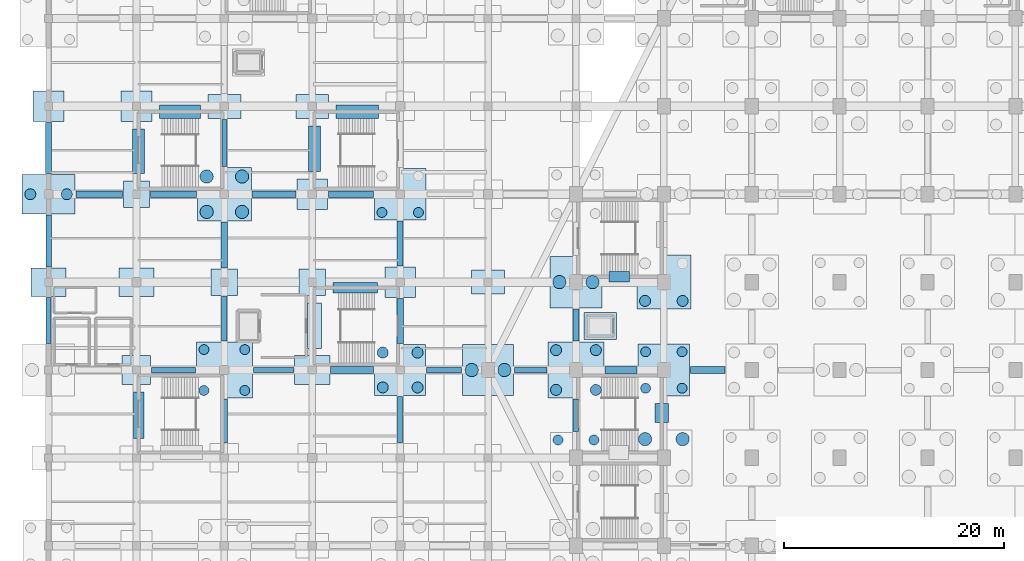
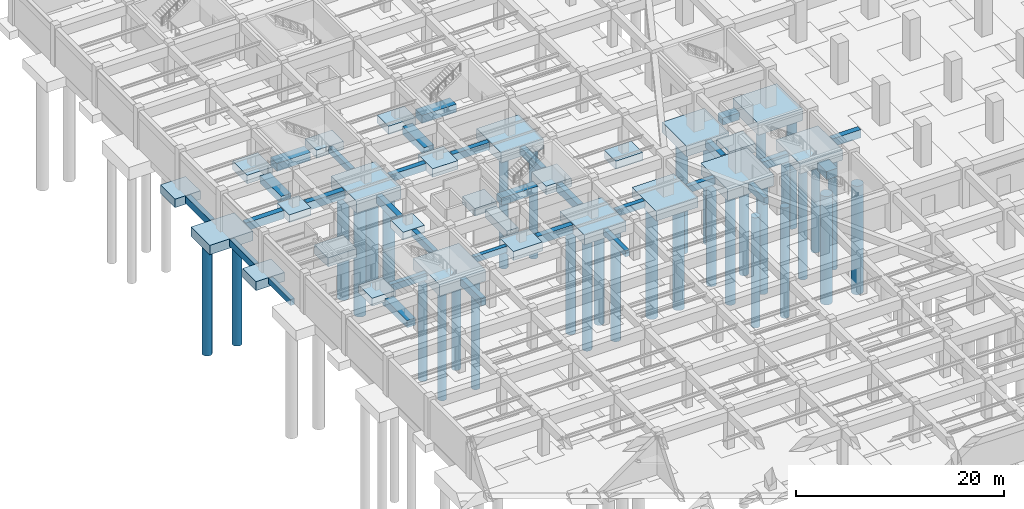
# One storey, part 6 of 36: 57 footings, 34 piles.
"""IFC4 building model written with IfcOpenShell, lengths in metres."""

from ifc_helpers import new_model, si_unit, direction, frame, origin, origin_2d, place, context, subcontext, project, spatial, rectangle, circle, extrude, material, material_profile, profile_set, type_object, element, save


model = new_model("IFC4")

# Units and contexts
model_context = context("Model", 3, precision=1e-05, world=origin(), true_north=direction((0.0, 1.0)))
body_context = subcontext(model_context, "Body", "Model", "MODEL_VIEW")
ifc_project = project(units=[si_unit("LENGTHUNIT", "METRE"), si_unit("AREAUNIT", "SQUARE_METRE"), si_unit("VOLUMEUNIT", "CUBIC_METRE"), si_unit("PLANEANGLEUNIT", "RADIAN"), si_unit("MASSUNIT", "GRAM", prefix="KILO")], contexts=[model_context])

# Site, building, storey
site_placement = place(None, origin())
site = spatial("IfcSite", under=ifc_project, at=site_placement, CompositionType="ELEMENT")
building_placement = place(site_placement, origin())
building = spatial("IfcBuilding", under=site, at=building_placement, Name="Tazarka Park Arena", CompositionType="ELEMENT")
storey_placement = place(building_placement, frame((0.0, 0.0, -4.800048828125)))
storey = spatial("IfcBuildingStorey", under=building, at=storey_placement, Name="B1", CompositionType="ELEMENT", Elevation=-4.800048828125)

# Footings
ifc_material_1 = material(Name="Concrete C35/45", Category="concrete")
footing_type_1 = type_object("IfcFootingType", Name="CAP-PC-01", PredefinedType="PILE_CAP", material=ifc_material_1)
for number, where, z_axis, x_axis, name in (
    (1, (32.0, 80.0, -1.19970703125), (0.0, 0.0, 1.0), (1.0, 0.0, 0.0), "CAP-G-04-10"),
    (2, (48.0, 72.0, -1.19970703125), (0.0, 0.0, 1.0), (1.0, 0.0, 0.0), "CAP-G-06-09"),
    (3, (56.0, 64.0, -1.19970703125), (0.0, 0.0, 1.0), (1.0, 0.0, 0.0), "CAP-G-07-08"),
):
    element("IfcFooting", number, at=place(storey_placement, frame(where, z_axis=z_axis, x_axis=x_axis)), inside=storey, type_object=footing_type_1, Name=name, PredefinedType="PILE_CAP", context=body_context, shape_type="SweptSolid", body=[
        extrude(rectangle(XDim=4.699951171875, YDim=4.699951171875, at=origin_2d()), origin(), (0.0, 0.0, 1.0), 1.199951171875),
    ])
ifc_material_2 = material(Name="Concrete C35/45", Category="concrete")
footing_type_2 = type_object("IfcFootingType", Name="CAP-PC-02", PredefinedType="PILE_CAP", material=ifc_material_2)
for number, where, z_axis, x_axis, name in (
    (4, (16.0, 80.0, -1.39990234375), (0.0, 0.0, 1.0), (1.0, 0.0, 0.0), "CAP-G-02-10"),
    (5, (56.0, 72.0, -1.39990234375), (0.0, 0.0, 1.0), (1.0, 0.0, 0.0), "CAP-G-07-09"),
):
    element("IfcFooting", number, at=place(storey_placement, frame(where, z_axis=z_axis, x_axis=x_axis)), inside=storey, type_object=footing_type_2, Name=name, PredefinedType="PILE_CAP", context=body_context, shape_type="SweptSolid", body=[
        extrude(rectangle(XDim=4.89990234375, YDim=4.89990234375, at=origin_2d()), origin(), (0.0, 0.0, 1.0), 1.39990234375),
    ])
ifc_material_3 = material(Name="Concrete C35/45", Category="concrete")
footing_type_3 = type_object("IfcFootingType", Name="CAP-PC-03", PredefinedType="PILE_CAP", material=ifc_material_3)
footing_1_placement = place(storey_placement, frame((0.0, 80.0, -1.10009765625), z_axis=(0.0, 0.0, 1.0), x_axis=(1.0, 0.0, 0.0)))
element("IfcFooting", 6, at=footing_1_placement, inside=storey, type_object=footing_type_3, Name="CAP-G-00-10", PredefinedType="PILE_CAP", context=body_context, shape_type="SweptSolid", body=[
    extrude(rectangle(XDim=4.800048828125, YDim=3.60009765625, at=origin_2d()), origin(), (0.0, 0.0, 1.0), 1.10009765625),
])
ifc_material_4 = material(Name="Concrete C35/45", Category="concrete")
footing_type_4 = type_object("IfcFootingType", Name="CAP-PC-07", PredefinedType="PILE_CAP", material=ifc_material_4)
for number, where, z_axis, x_axis, name in (
    (7, (32.0, 64.0, -1.14990234375), (0.0, 0.0, 1.0), (1.0, 0.0, 0.0), "CAP-G-04-08"),
    (8, (40.0, 64.0, -1.14990234375), (0.0, 0.0, 1.0), (1.0, 0.0, 0.0), "CAP-G-05-08"),
):
    element("IfcFooting", number, at=place(storey_placement, frame(where, z_axis=z_axis, x_axis=x_axis)), inside=storey, type_object=footing_type_4, Name=name, PredefinedType="PILE_CAP", context=body_context, shape_type="SweptSolid", body=[
        extrude(rectangle(XDim=4.64990234375, YDim=4.64990234375, at=origin_2d()), origin(), (0.0, 0.0, 1.0), 1.14990234375),
    ])
ifc_material_5 = material(Name="Concrete C35/45", Category="concrete")
footing_type_5 = type_object("IfcFootingType", Name="CAP-PC-08", PredefinedType="PILE_CAP", material=ifc_material_5)
for number, where, z_axis, x_axis, name in (
    (9, (16.0, 64.0, -1.35009765625), (0.0, 0.0, 1.0), (1.0, 0.0, 0.0), "CAP-G-02-08"),
    (10, (48.0, 64.0, -1.35009765625), (0.0, 0.0, 1.0), (1.0, 0.0, 0.0), "CAP-G-06-08"),
):
    element("IfcFooting", number, at=place(storey_placement, frame(where, z_axis=z_axis, x_axis=x_axis)), inside=storey, type_object=footing_type_5, Name=name, PredefinedType="PILE_CAP", context=body_context, shape_type="SweptSolid", body=[
        extrude(rectangle(XDim=5.10009765625, YDim=5.10009765625, at=origin_2d()), origin(), (0.0, 0.0, 1.0), 1.35009765625),
    ])
ifc_material_6 = material(Name="Concrete C35/45", Category="concrete")
ifc_material_profile_1 = material_profile(ifc_material_6, rectangle(XDim=0.449951171875, YDim=0.699951171875, at=origin_2d()), Name="Concrete C35/45")
ifc_profile_set_1 = profile_set([ifc_material_profile_1], Name="Concrete C35/45")
footing_type_6 = type_object("IfcFootingType", Name="GB-GB-01", PredefinedType="FOOTING_BEAM", material=ifc_profile_set_1)
footing_2_placement = place(storey_placement, frame((0.0, 66.429931640625, -0.349853515625), z_axis=(0.0, 1.0, 0.0), x_axis=(-1.0, 0.0, 0.0)))
element("IfcFooting", 11, at=footing_2_placement, inside=storey, type_object=footing_type_6, Name="GB-Y-00-08", PredefinedType="FOOTING_BEAM", context=body_context, shape_type="SweptSolid", body=[
    extrude(rectangle(XDim=0.449951171875, YDim=0.699951171875, at=origin_2d()), origin(), (0.0, 0.0, 1.0), 4.190185546875),
])
footing_3_placement = place(storey_placement, frame((18.6298828125, 64.0, -0.349853515625), z_axis=(1.0, 0.0, 0.0), x_axis=(0.0, 1.0, 0.0)))
element("IfcFooting", 12, at=footing_3_placement, inside=storey, type_object=footing_type_6, Name="GB-X-02-08", PredefinedType="FOOTING_BEAM", context=body_context, shape_type="SweptSolid", body=[
    extrude(rectangle(XDim=0.449951171875, YDim=0.699951171875, at=origin_2d()), origin(), (0.0, 0.0, 1.0), 3.690185546875),
])
footing_4_placement = place(storey_placement, frame((16.0, 82.530029296875, -0.349853515625), z_axis=(0.0, 1.0, 0.0), x_axis=(-1.0, 0.0, 0.0)))
element("IfcFooting", 13, at=footing_4_placement, inside=storey, type_object=footing_type_6, Name="GB-Y-02-10", PredefinedType="FOOTING_BEAM", context=body_context, shape_type="SweptSolid", body=[
    extrude(rectangle(XDim=0.449951171875, YDim=0.699951171875, at=origin_2d()), origin(), (0.0, 0.0, 1.0), 4.2900390625),
])
footing_5_placement = place(storey_placement, frame((32.0, 57.3798828125, -0.349853515625), z_axis=(0.0, 1.0, 0.0), x_axis=(-1.0, 0.0, 0.0)))
element("IfcFooting", 14, at=footing_5_placement, inside=storey, type_object=footing_type_6, Name="GB-Y-04-07", PredefinedType="FOOTING_BEAM", context=body_context, shape_type="SweptSolid", body=[
    extrude(rectangle(XDim=0.449951171875, YDim=0.699951171875, at=origin_2d()), origin(), (0.0, 0.0, 1.0), 4.215087890625),
])
ifc_material_7 = material(Name="Concrete C35/45", Category="concrete")
ifc_material_profile_2 = material_profile(ifc_material_7, rectangle(XDim=0.5, YDim=0.800048828125, at=origin_2d()), Name="Concrete C35/45")
ifc_profile_set_2 = profile_set([ifc_material_profile_2], Name="Concrete C35/45")
footing_type_7 = type_object("IfcFootingType", Name="GB-GB-02", PredefinedType="FOOTING_BEAM", material=ifc_profile_set_2)
footing_6_placement = place(storey_placement, frame((0.0, 73.3798828125, -0.39990234375), z_axis=(0.0, 1.0, 0.0), x_axis=(-1.0, 0.0, 0.0)))
element("IfcFooting", 15, at=footing_6_placement, inside=storey, type_object=footing_type_7, Name="GB-Y-00-09", PredefinedType="FOOTING_BEAM", context=body_context, shape_type="SweptSolid", body=[
    extrude(rectangle(XDim=0.5, YDim=0.800048828125, at=origin_2d()), origin(), (0.0, 0.0, 1.0), 4.740234375),
])
footing_7_placement = place(storey_placement, frame((9.3798828125, 64.0, -0.39990234375), z_axis=(1.0, 0.0, 0.0), x_axis=(0.0, 1.0, 0.0)))
element("IfcFooting", 16, at=footing_7_placement, inside=storey, type_object=footing_type_7, Name="GB-X-01-08", PredefinedType="FOOTING_BEAM", context=body_context, shape_type="SweptSolid", body=[
    extrude(rectangle(XDim=0.5, YDim=0.800048828125, at=origin_2d()), origin(), (0.0, 0.0, 1.0), 3.990234375),
])
footing_8_placement = place(storey_placement, frame((16.0, 66.6298828125, -0.39990234375), z_axis=(0.0, 1.0, 0.0), x_axis=(-1.0, 0.0, 0.0)))
element("IfcFooting", 17, at=footing_8_placement, inside=storey, type_object=footing_type_7, Name="GB-Y-02-08", PredefinedType="FOOTING_BEAM", context=body_context, shape_type="SweptSolid", body=[
    extrude(rectangle(XDim=0.5, YDim=0.800048828125, at=origin_2d()), origin(), (0.0, 0.0, 1.0), 4.090087890625),
])
footing_9_placement = place(storey_placement, frame((34.405029296875, 64.0, -0.39990234375), z_axis=(1.0, 0.0, 0.0), x_axis=(0.0, 1.0, 0.0)))
element("IfcFooting", 18, at=footing_9_placement, inside=storey, type_object=footing_type_7, Name="GB-X-04-08", PredefinedType="FOOTING_BEAM", context=body_context, shape_type="SweptSolid", body=[
    extrude(rectangle(XDim=0.5, YDim=0.800048828125, at=origin_2d()), origin(), (0.0, 0.0, 1.0), 3.18994140625),
])
for number, where, z_axis, x_axis, name in (
    (19, (42.405029296875, 64.0, -0.39990234375), (1.0, 0.0, 0.0), (0.0, 1.0, 0.0), "GB-X-05-08"),
    (20, (48.0, 58.405029296875, -0.39990234375), (0.0, 1.0, 0.0), (-1.0, 0.0, 0.0), "GB-Y-06-07"),
):
    element("IfcFooting", number, at=place(storey_placement, frame(where, z_axis=z_axis, x_axis=x_axis)), inside=storey, type_object=footing_type_7, Name=name, PredefinedType="FOOTING_BEAM", context=body_context, shape_type="SweptSolid", body=[
        extrude(rectangle(XDim=0.5, YDim=0.800048828125, at=origin_2d()), origin(), (0.0, 0.0, 1.0), 2.965087890625),
    ])
ifc_material_8 = material(Name="Concrete C35/45", Category="concrete")
ifc_material_profile_3 = material_profile(ifc_material_8, rectangle(XDim=0.60009765625, YDim=0.949951171875, at=origin_2d()), Name="Concrete C35/45")
ifc_profile_set_3 = profile_set([ifc_material_profile_3], Name="Concrete C35/45")
footing_type_8 = type_object("IfcFootingType", Name="GB-GB-03", PredefinedType="FOOTING_BEAM", material=ifc_profile_set_3)
footing_10_placement = place(storey_placement, frame((2.47998046875, 80.0, -0.474853515625), z_axis=(1.0, 0.0, 0.0), x_axis=(0.0, 1.0, 0.0)))
element("IfcFooting", 21, at=footing_10_placement, inside=storey, type_object=footing_type_8, Name="GB-X-00-10", PredefinedType="FOOTING_BEAM", context=body_context, shape_type="SweptSolid", body=[
    extrude(rectangle(XDim=0.60009765625, YDim=0.949951171875, at=origin_2d()), origin(), (0.0, 0.0, 1.0), 4.239990234375),
])
for number, where, z_axis, x_axis, name in (
    (22, (9.280029296875, 80.0, -0.474853515625), (1.0, 0.0, 0.0), (0.0, 1.0, 0.0), "GB-X-01-10"),
    (23, (16.0, 73.280029296875, -0.474853515625), (0.0, 1.0, 0.0), (-1.0, 0.0, 0.0), "GB-Y-02-09"),
):
    element("IfcFooting", number, at=place(storey_placement, frame(where, z_axis=z_axis, x_axis=x_axis)), inside=storey, type_object=footing_type_8, Name=name, PredefinedType="FOOTING_BEAM", context=body_context, shape_type="SweptSolid", body=[
        extrude(rectangle(XDim=0.60009765625, YDim=0.949951171875, at=origin_2d()), origin(), (0.0, 0.0, 1.0), 4.18994140625),
    ])
footing_11_placement = place(storey_placement, frame((25.679931640625, 64.0, -0.474853515625), z_axis=(1.0, 0.0, 0.0), x_axis=(0.0, 1.0, 0.0)))
element("IfcFooting", 24, at=footing_11_placement, inside=storey, type_object=footing_type_8, Name="GB-X-03-08", PredefinedType="FOOTING_BEAM", context=body_context, shape_type="SweptSolid", body=[
    extrude(rectangle(XDim=0.60009765625, YDim=0.949951171875, at=origin_2d()), origin(), (0.0, 0.0, 1.0), 3.9150390625),
])
footing_12_placement = place(storey_placement, frame((32.0, 66.405029296875, -0.474853515625), z_axis=(0.0, 1.0, 0.0), x_axis=(-1.0, 0.0, 0.0)))
element("IfcFooting", 25, at=footing_12_placement, inside=storey, type_object=footing_type_8, Name="GB-Y-04-08", PredefinedType="FOOTING_BEAM", context=body_context, shape_type="SweptSolid", body=[
    extrude(rectangle(XDim=0.60009765625, YDim=0.949951171875, at=origin_2d()), origin(), (0.0, 0.0, 1.0), 4.114990234375),
])
footing_13_placement = place(storey_placement, frame((50.6298828125, 64.0, -0.474853515625), z_axis=(1.0, 0.0, 0.0), x_axis=(0.0, 1.0, 0.0)))
element("IfcFooting", 26, at=footing_13_placement, inside=storey, type_object=footing_type_8, Name="GB-X-06-08", PredefinedType="FOOTING_BEAM", context=body_context, shape_type="SweptSolid", body=[
    extrude(rectangle(XDim=0.60009765625, YDim=0.949951171875, at=origin_2d()), origin(), (0.0, 0.0, 1.0), 2.940185546875),
])
footing_14_placement = place(storey_placement, frame((58.429931640625, 64.0, -0.474853515625), z_axis=(1.0, 0.0, 0.0), x_axis=(0.0, 1.0, 0.0)))
element("IfcFooting", 27, at=footing_14_placement, inside=storey, type_object=footing_type_8, Name="GB-X-07-08", PredefinedType="FOOTING_BEAM", context=body_context, shape_type="SweptSolid", body=[
    extrude(rectangle(XDim=0.60009765625, YDim=0.949951171875, at=origin_2d()), origin(), (0.0, 0.0, 1.0), 3.14013671875),
])
ifc_material_9 = material(Name="Concrete C35/45", Category="concrete")
ifc_material_profile_4 = material_profile(ifc_material_9, rectangle(XDim=0.550048828125, YDim=0.85009765625, at=origin_2d()), Name="Concrete C35/45")
ifc_profile_set_4 = profile_set([ifc_material_profile_4], Name="Concrete C35/45")
footing_type_9 = type_object("IfcFootingType", Name="GB-GB-04", PredefinedType="FOOTING_BEAM", material=ifc_profile_set_4)
footing_15_placement = place(storey_placement, frame((0.0, 81.8798828125, -0.425048828125), z_axis=(0.0, 1.0, 0.0), x_axis=(-1.0, 0.0, 0.0)))
element("IfcFooting", 28, at=footing_15_placement, inside=storey, type_object=footing_type_9, Name="GB-Y-00-10", PredefinedType="FOOTING_BEAM", context=body_context, shape_type="SweptSolid", body=[
    extrude(rectangle(XDim=0.550048828125, YDim=0.85009765625, at=origin_2d()), origin(), (0.0, 0.0, 1.0), 4.64013671875),
])
footing_16_placement = place(storey_placement, frame((16.0, 57.3798828125, -0.425048828125), z_axis=(0.0, 1.0, 0.0), x_axis=(-1.0, 0.0, 0.0)))
element("IfcFooting", 29, at=footing_16_placement, inside=storey, type_object=footing_type_9, Name="GB-Y-02-07", PredefinedType="FOOTING_BEAM", context=body_context, shape_type="SweptSolid", body=[
    extrude(rectangle(XDim=0.550048828125, YDim=0.85009765625, at=origin_2d()), origin(), (0.0, 0.0, 1.0), 3.990234375),
])
footing_17_placement = place(storey_placement, frame((18.530029296875, 80.0, -0.425048828125), z_axis=(1.0, 0.0, 0.0), x_axis=(0.0, 1.0, 0.0)))
element("IfcFooting", 30, at=footing_17_placement, inside=storey, type_object=footing_type_9, Name="GB-X-02-10", PredefinedType="FOOTING_BEAM", context=body_context, shape_type="SweptSolid", body=[
    extrude(rectangle(XDim=0.550048828125, YDim=0.85009765625, at=origin_2d()), origin(), (0.0, 0.0, 1.0), 3.989990234375),
])
for number, where, z_axis, x_axis, name in (
    (31, (25.47998046875, 80.0, -0.425048828125), (1.0, 0.0, 0.0), (0.0, 1.0, 0.0), "GB-X-03-10"),
    (32, (32.0, 73.47998046875, -0.425048828125), (0.0, 1.0, 0.0), (-1.0, 0.0, 0.0), "GB-Y-04-09"),
):
    element("IfcFooting", number, at=place(storey_placement, frame(where, z_axis=z_axis, x_axis=x_axis)), inside=storey, type_object=footing_type_9, Name=name, PredefinedType="FOOTING_BEAM", context=body_context, shape_type="SweptSolid", body=[
        extrude(rectangle(XDim=0.550048828125, YDim=0.85009765625, at=origin_2d()), origin(), (0.0, 0.0, 1.0), 4.090087890625),
    ])
footing_18_placement = place(storey_placement, frame((48.0, 66.6298828125, -0.425048828125), z_axis=(0.0, 1.0, 0.0), x_axis=(-1.0, 0.0, 0.0)))
element("IfcFooting", 33, at=footing_18_placement, inside=storey, type_object=footing_type_9, Name="GB-Y-06-08", PredefinedType="FOOTING_BEAM", context=body_context, shape_type="SweptSolid", body=[
    extrude(rectangle(XDim=0.550048828125, YDim=0.85009765625, at=origin_2d()), origin(), (0.0, 0.0, 1.0), 2.940185546875),
])
ifc_material_10 = material(Name="Concrete C35/45", Category="concrete")
footing_type_10 = type_object("IfcFootingType", Name="PAD-PF-01", PredefinedType="PAD_FOOTING", material=ifc_material_10)
for number, where, z_axis, x_axis, name in (
    (34, (8.0, 80.0, -0.89990234375), (0.0, 0.0, 1.0), (1.0, 0.0, 0.0), "PAD-G-01-10"),
    (35, (16.0, 72.0, -0.89990234375), (0.0, 0.0, 1.0), (1.0, 0.0, 0.0), "PAD-G-02-09"),
    (36, (24.0, 72.0, -0.89990234375), (0.0, 0.0, 1.0), (1.0, 0.0, 0.0), "PAD-G-03-09"),
):
    element("IfcFooting", number, at=place(storey_placement, frame(where, z_axis=z_axis, x_axis=x_axis)), inside=storey, type_object=footing_type_10, Name=name, PredefinedType="PAD_FOOTING", context=body_context, shape_type="SweptSolid", body=[
        extrude(rectangle(XDim=2.39990234375, YDim=2.39990234375, at=origin_2d()), origin(), (0.0, 0.0, 1.0), 0.89990234375),
    ])
ifc_material_11 = material(Name="Concrete C35/45", Category="concrete")
footing_type_11 = type_object("IfcFootingType", Name="PAD-PF-02", PredefinedType="PAD_FOOTING", material=ifc_material_11)
for number, where, z_axis, x_axis, name in (
    (37, (0.0, 88.0, -1.0), (0.0, 0.0, 1.0), (1.0, 0.0, 0.0), "PAD-G-00-11"),
    (38, (8.0, 88.0, -1.0), (0.0, 0.0, 1.0), (1.0, 0.0, 0.0), "PAD-G-01-11"),
    (39, (24.0, 80.0, -1.0), (0.0, 0.0, 1.0), (1.0, 0.0, 0.0), "PAD-G-03-10"),
    (40, (32.0, 72.0, -1.0), (0.0, 0.0, 1.0), (1.0, 0.0, 0.0), "PAD-G-04-09"),
):
    element("IfcFooting", number, at=place(storey_placement, frame(where, z_axis=z_axis, x_axis=x_axis)), inside=storey, type_object=footing_type_11, Name=name, PredefinedType="PAD_FOOTING", context=body_context, shape_type="SweptSolid", body=[
        extrude(rectangle(XDim=2.800048828125, YDim=2.800048828125, at=origin_2d()), origin(), (0.0, 0.0, 1.0), 1.0),
    ])
ifc_material_12 = material(Name="Concrete C35/45", Category="concrete")
footing_type_12 = type_object("IfcFootingType", Name="PAD-PF-03", PredefinedType="PAD_FOOTING", material=ifc_material_12)
for number, where, z_axis, x_axis, name in (
    (41, (16.0, 88.0, -0.94970703125), (0.0, 0.0, 1.0), (1.0, 0.0, 0.0), "PAD-G-02-11"),
    (42, (24.0, 88.0, -0.94970703125), (0.0, 0.0, 1.0), (1.0, 0.0, 0.0), "PAD-G-03-11"),
    (43, (40.0, 72.0, -0.94970703125), (0.0, 0.0, 1.0), (1.0, 0.0, 0.0), "PAD-G-05-09"),
):
    element("IfcFooting", number, at=place(storey_placement, frame(where, z_axis=z_axis, x_axis=x_axis)), inside=storey, type_object=footing_type_12, Name=name, PredefinedType="PAD_FOOTING", context=body_context, shape_type="SweptSolid", body=[
        extrude(rectangle(XDim=3.0, YDim=2.199951171875, at=origin_2d()), origin(), (0.0, 0.0, 1.0), 0.949951171875),
    ])
ifc_material_13 = material(Name="Concrete C35/45", Category="concrete")
footing_type_13 = type_object("IfcFootingType", Name="PAD-PF-04", PredefinedType="PAD_FOOTING", material=ifc_material_13)
footing_19_placement = place(storey_placement, frame((8.0, 64.0, -0.919921875), z_axis=(0.0, 0.0, 1.0), x_axis=(1.0, 0.0, 0.0)))
element("IfcFooting", 44, at=footing_19_placement, inside=storey, type_object=footing_type_13, Name="PAD-G-01-08", PredefinedType="PAD_FOOTING", context=body_context, shape_type="SweptSolid", body=[
    extrude(rectangle(XDim=2.60009765625, YDim=2.60009765625, at=origin_2d()), origin(), (0.0, 0.0, 1.0), 0.919921875),
])
ifc_material_14 = material(Name="Concrete C35/45", Category="concrete")
footing_type_14 = type_object("IfcFootingType", Name="PAD-PF-05", PredefinedType="PAD_FOOTING", material=ifc_material_14)
for number, where, z_axis, x_axis, name in (
    (45, (0.0, 72.0, -1.0498046875), (0.0, 0.0, 1.0), (1.0, 0.0, 0.0), "PAD-G-00-09"),
    (46, (8.0, 72.0, -1.0498046875), (0.0, 0.0, 1.0), (1.0, 0.0, 0.0), "PAD-G-01-09"),
    (47, (24.0, 64.0, -1.0498046875), (0.0, 0.0, 1.0), (1.0, 0.0, 0.0), "PAD-G-03-08"),
):
    element("IfcFooting", number, at=place(storey_placement, frame(where, z_axis=z_axis, x_axis=x_axis)), inside=storey, type_object=footing_type_14, Name=name, PredefinedType="PAD_FOOTING", context=body_context, shape_type="SweptSolid", body=[
        extrude(rectangle(XDim=3.199951171875, YDim=2.60009765625, at=origin_2d()), origin(), (0.0, 0.0, 1.0), 1.050048828125),
    ])
footing_20_placement = place(storey_placement, frame((50.199951171875, 68.0, -1.0498046875), z_axis=(0.0, 0.0, 1.0), x_axis=(1.0, 0.0, 0.0)))
element("IfcFooting", 48, at=footing_20_placement, inside=storey, type_object=footing_type_14, Name="PAD-LF-LF-09", PredefinedType="PAD_FOOTING", context=body_context, shape_type="SweptSolid", body=[
    extrude(rectangle(XDim=2.93994140625, YDim=2.43994140625, at=origin_2d()), origin(), (0.0, 0.0, 1.0), 1.050048828125),
])

# Piles
ifc_material_15 = material(Name="Concrete C35/45", Category="concrete")
ifc_material_profile_5 = material_profile(ifc_material_15, circle(Radius=0.5, at=origin_2d()), Name="Concrete C35/45")
ifc_profile_set_5 = profile_set([ifc_material_profile_5], Name="Concrete C35/45")
pile_type_1 = type_object("IfcPileType", Name="PILE-D1000", PredefinedType="BORED", material=ifc_profile_set_5)
for number, where, z_axis, x_axis, name in (
    (49, (-1.659912109375, 80.0, -1.0), (0.0, 0.0, -1.0), (1.0, 0.0, 0.0), "PLN-G-00-10-1"),
    (50, (1.659912109375, 80.0, -1.0), (0.0, 0.0, -1.0), (1.0, 0.0, 0.0), "PLN-G-00-10-2"),
):
    element("IfcPile", number, at=place(storey_placement, frame(where, z_axis=z_axis, x_axis=x_axis)), inside=storey, type_object=pile_type_1, Name=name, PredefinedType="BORED", context=body_context, shape_type="SweptSolid", body=[
        extrude(circle(Radius=0.5, at=origin_2d()), origin(), (0.0, 0.0, 1.0), 13.0),
    ])
for number, where, z_axis, x_axis, name in (
    (51, (30.4150390625, 62.4150390625, -1.050048828125), (0.0, 0.0, -1.0), (1.0, 0.0, 0.0), "PLN-G-04-08-1"),
    (52, (33.5849609375, 62.4150390625, -1.050048828125), (0.0, 0.0, -1.0), (1.0, 0.0, 0.0), "PLN-G-04-08-2"),
    (53, (30.4150390625, 65.5849609375, -1.050048828125), (0.0, 0.0, -1.0), (1.0, 0.0, 0.0), "PLN-G-04-08-3"),
    (54, (33.5849609375, 65.5849609375, -1.050048828125), (0.0, 0.0, -1.0), (1.0, 0.0, 0.0), "PLN-G-04-08-4"),
):
    element("IfcPile", number, at=place(storey_placement, frame(where, z_axis=z_axis, x_axis=x_axis)), inside=storey, type_object=pile_type_1, Name=name, PredefinedType="BORED", context=body_context, shape_type="SweptSolid", body=[
        extrude(circle(Radius=0.5, at=origin_2d()), origin(), (0.0, 0.0, 1.0), 12.949951171875),
    ])
for number, where, z_axis, x_axis, name in (
    (55, (46.18994140625, 62.18994140625, -1.25), (0.0, 0.0, -1.0), (1.0, 0.0, 0.0), "PLN-G-06-08-1"),
    (56, (49.81005859375, 62.18994140625, -1.25), (0.0, 0.0, -1.0), (1.0, 0.0, 0.0), "PLN-G-06-08-2"),
    (57, (46.18994140625, 65.81005859375, -1.25), (0.0, 0.0, -1.0), (1.0, 0.0, 0.0), "PLN-G-06-08-3"),
    (58, (49.81005859375, 65.81005859375, -1.25), (0.0, 0.0, -1.0), (1.0, 0.0, 0.0), "PLN-G-06-08-4"),
):
    element("IfcPile", number, at=place(storey_placement, frame(where, z_axis=z_axis, x_axis=x_axis)), inside=storey, type_object=pile_type_1, Name=name, PredefinedType="BORED", context=body_context, shape_type="SweptSolid", body=[
        extrude(circle(Radius=0.5, at=origin_2d()), origin(), (0.0, 0.0, 1.0), 12.75),
    ])
for number, where, z_axis, x_axis, name in (
    (59, (54.2900390625, 70.2900390625, -1.300048828125), (0.0, 0.0, -1.0), (1.0, 0.0, 0.0), "PLN-G-07-09-1"),
    (60, (57.7099609375, 70.2900390625, -1.300048828125), (0.0, 0.0, -1.0), (1.0, 0.0, 0.0), "PLN-G-07-09-2"),
):
    element("IfcPile", number, at=place(storey_placement, frame(where, z_axis=z_axis, x_axis=x_axis)), inside=storey, type_object=pile_type_1, Name=name, PredefinedType="BORED", context=body_context, shape_type="SweptSolid", body=[
        extrude(circle(Radius=0.5, at=origin_2d()), origin(), (0.0, 0.0, 1.0), 12.699951171875),
    ])
ifc_material_16 = material(Name="Concrete C35/45", Category="concrete")
ifc_material_profile_6 = material_profile(ifc_material_16, circle(Radius=0.60009765625, at=origin_2d()), Name="Concrete C35/45")
ifc_profile_set_6 = profile_set([ifc_material_profile_6], Name="Concrete C35/45")
pile_type_2 = type_object("IfcPileType", Name="PILE-D1200", PredefinedType="BORED", material=ifc_profile_set_6)
for number, where, z_axis, x_axis, name in (
    (61, (14.389892578125, 78.389892578125, -1.300048828125), (0.0, 0.0, -1.0), (1.0, 0.0, 0.0), "PLN-G-02-10-1"),
    (62, (17.610107421875, 78.389892578125, -1.300048828125), (0.0, 0.0, -1.0), (1.0, 0.0, 0.0), "PLN-G-02-10-2"),
    (63, (14.389892578125, 81.610107421875, -1.300048828125), (0.0, 0.0, -1.0), (1.0, 0.0, 0.0), "PLN-G-02-10-3"),
    (64, (17.610107421875, 81.610107421875, -1.300048828125), (0.0, 0.0, -1.0), (1.0, 0.0, 0.0), "PLN-G-02-10-4"),
):
    element("IfcPile", number, at=place(storey_placement, frame(where, z_axis=z_axis, x_axis=x_axis)), inside=storey, type_object=pile_type_2, Name=name, PredefinedType="BORED", context=body_context, shape_type="SweptSolid", body=[
        extrude(circle(Radius=0.60009765625, at=origin_2d()), origin(), (0.0, 0.0, 1.0), 12.699951171875),
    ])
for number, where, z_axis, x_axis, name in (
    (65, (38.514892578125, 64.0, -1.050048828125), (0.0, 0.0, -1.0), (1.0, 0.0, 0.0), "PLN-G-05-08-1"),
    (66, (41.485107421875, 64.0, -1.050048828125), (0.0, 0.0, -1.0), (1.0, 0.0, 0.0), "PLN-G-05-08-2"),
):
    element("IfcPile", number, at=place(storey_placement, frame(where, z_axis=z_axis, x_axis=x_axis)), inside=storey, type_object=pile_type_2, Name=name, PredefinedType="BORED", context=body_context, shape_type="SweptSolid", body=[
        extrude(circle(Radius=0.60009765625, at=origin_2d()), origin(), (0.0, 0.0, 1.0), 12.949951171875),
    ])
for number, where, z_axis, x_axis, name in (
    (67, (46.489990234375, 72.0, -1.099853515625), (0.0, 0.0, -1.0), (1.0, 0.0, 0.0), "PLN-G-06-09-1"),
    (68, (49.510009765625, 72.0, -1.099853515625), (0.0, 0.0, -1.0), (1.0, 0.0, 0.0), "PLN-G-06-09-2"),
):
    element("IfcPile", number, at=place(storey_placement, frame(where, z_axis=z_axis, x_axis=x_axis)), inside=storey, type_object=pile_type_2, Name=name, PredefinedType="BORED", context=body_context, shape_type="SweptSolid", body=[
        extrude(circle(Radius=0.60009765625, at=origin_2d()), origin(), (0.0, 0.0, 1.0), 12.89990234375),
    ])
for number, where, z_axis, x_axis, name in (
    (69, (54.2900390625, 57.7099609375, -1.25), (0.0, 0.0, -1.0), (1.0, 0.0, 0.0), "PLN-G-07-07-3"),
    (70, (57.7099609375, 57.7099609375, -1.25), (0.0, 0.0, -1.0), (1.0, 0.0, 0.0), "PLN-G-07-07-4"),
):
    element("IfcPile", number, at=place(storey_placement, frame(where, z_axis=z_axis, x_axis=x_axis)), inside=storey, type_object=pile_type_2, Name=name, PredefinedType="BORED", context=body_context, shape_type="SweptSolid", body=[
        extrude(circle(Radius=0.60009765625, at=origin_2d()), origin(), (0.0, 0.0, 1.0), 12.75),
    ])
ifc_material_17 = material(Name="Concrete C35/45", Category="concrete")
ifc_material_profile_7 = material_profile(ifc_material_17, circle(Radius=0.449951171875, at=origin_2d()), Name="Concrete C35/45")
ifc_profile_set_7 = profile_set([ifc_material_profile_7], Name="Concrete C35/45")
pile_type_3 = type_object("IfcPileType", Name="PILE-D900", PredefinedType="BORED", material=ifc_profile_set_7)
for number, where, z_axis, x_axis, name in (
    (71, (14.139892578125, 62.139892578125, -1.25), (0.0, 0.0, -1.0), (1.0, 0.0, 0.0), "PLN-G-02-08-1"),
    (72, (17.860107421875, 62.139892578125, -1.25), (0.0, 0.0, -1.0), (1.0, 0.0, 0.0), "PLN-G-02-08-2"),
    (73, (14.139892578125, 65.860107421875, -1.25), (0.0, 0.0, -1.0), (1.0, 0.0, 0.0), "PLN-G-02-08-3"),
    (74, (17.860107421875, 65.860107421875, -1.25), (0.0, 0.0, -1.0), (1.0, 0.0, 0.0), "PLN-G-02-08-4"),
):
    element("IfcPile", number, at=place(storey_placement, frame(where, z_axis=z_axis, x_axis=x_axis)), inside=storey, type_object=pile_type_3, Name=name, PredefinedType="BORED", context=body_context, shape_type="SweptSolid", body=[
        extrude(circle(Radius=0.449951171875, at=origin_2d()), origin(), (0.0, 0.0, 1.0), 12.75),
    ])
for number, where, z_axis, x_axis, name in (
    (75, (30.340087890625, 78.340087890625, -1.099853515625), (0.0, 0.0, -1.0), (1.0, 0.0, 0.0), "PLN-G-04-10-1"),
    (76, (33.659912109375, 78.340087890625, -1.099853515625), (0.0, 0.0, -1.0), (1.0, 0.0, 0.0), "PLN-G-04-10-2"),
):
    element("IfcPile", number, at=place(storey_placement, frame(where, z_axis=z_axis, x_axis=x_axis)), inside=storey, type_object=pile_type_3, Name=name, PredefinedType="BORED", context=body_context, shape_type="SweptSolid", body=[
        extrude(circle(Radius=0.449951171875, at=origin_2d()), origin(), (0.0, 0.0, 1.0), 12.89990234375),
    ])
for number, where, z_axis, x_axis, name in (
    (77, (46.364990234375, 57.635009765625, -1.050048828125), (0.0, 0.0, -1.0), (1.0, 0.0, 0.0), "PLN-G-06-07-3"),
    (78, (49.635009765625, 57.635009765625, -1.050048828125), (0.0, 0.0, -1.0), (1.0, 0.0, 0.0), "PLN-G-06-07-4"),
):
    element("IfcPile", number, at=place(storey_placement, frame(where, z_axis=z_axis, x_axis=x_axis)), inside=storey, type_object=pile_type_3, Name=name, PredefinedType="BORED", context=body_context, shape_type="SweptSolid", body=[
        extrude(circle(Radius=0.449951171875, at=origin_2d()), origin(), (0.0, 0.0, 1.0), 12.949951171875),
    ])
for number, where, z_axis, x_axis, name in (
    (79, (54.340087890625, 62.340087890625, -1.099853515625), (0.0, 0.0, -1.0), (1.0, 0.0, 0.0), "PLN-G-07-08-1"),
    (80, (57.659912109375, 62.340087890625, -1.099853515625), (0.0, 0.0, -1.0), (1.0, 0.0, 0.0), "PLN-G-07-08-2"),
    (81, (54.340087890625, 65.659912109375, -1.099853515625), (0.0, 0.0, -1.0), (1.0, 0.0, 0.0), "PLN-G-07-08-3"),
    (82, (57.659912109375, 65.659912109375, -1.099853515625), (0.0, 0.0, -1.0), (1.0, 0.0, 0.0), "PLN-G-07-08-4"),
):
    element("IfcPile", number, at=place(storey_placement, frame(where, z_axis=z_axis, x_axis=x_axis)), inside=storey, type_object=pile_type_3, Name=name, PredefinedType="BORED", context=body_context, shape_type="SweptSolid", body=[
        extrude(circle(Radius=0.449951171875, at=origin_2d()), origin(), (0.0, 0.0, 1.0), 12.89990234375),
    ])

# Footings
ifc_material_18 = material(Name="Concrete C35/45", Category="concrete")
ifc_material_profile_8 = material_profile(ifc_material_18, rectangle(XDim=0.949951171875, YDim=0.85009765625, at=origin_2d()), Name="Concrete C35/45")
ifc_profile_set_8 = profile_set([ifc_material_profile_8], Name="Concrete C35/45")
footing_type_15 = type_object("IfcFootingType", Name="SF-SF-01", PredefinedType="STRIP_FOOTING", material=ifc_profile_set_8)
footing_21_placement = place(storey_placement, frame((8.199951171875, 57.780029296875, -0.425048828125), z_axis=(0.0, 1.0, 0.0), x_axis=(-1.0, 0.0, 0.0)))
element("IfcFooting", 83, at=footing_21_placement, inside=storey, type_object=footing_type_15, Name="SF-ST01-W-1", PredefinedType="STRIP_FOOTING", context=body_context, shape_type="SweptSolid", body=[
    extrude(rectangle(XDim=0.949951171875, YDim=0.85009765625, at=origin_2d()), origin(), (0.0, 0.0, 1.0), 4.239990234375),
])
footing_22_placement = place(storey_placement, frame((52.8701171875, 72.5, -0.425048828125), z_axis=(-1.0, 0.0, 0.0), x_axis=(0.0, -1.0, 0.0)))
element("IfcFooting", 84, at=footing_22_placement, inside=storey, type_object=footing_type_15, Name="SF-ST20-S-1", PredefinedType="STRIP_FOOTING", context=body_context, shape_type="SweptSolid", body=[
    extrude(rectangle(XDim=0.949951171875, YDim=0.85009765625, at=origin_2d()), origin(), (0.0, 0.0, 1.0), 1.840087890625),
])
footing_23_placement = place(storey_placement, frame((25.8798828125, 71.5, -0.425048828125), z_axis=(1.0, 0.0, 0.0), x_axis=(0.0, 1.0, 0.0)))
element("IfcFooting", 85, at=footing_23_placement, inside=storey, type_object=footing_type_15, Name="SF-ST24-N-1", PredefinedType="STRIP_FOOTING", context=body_context, shape_type="SweptSolid", body=[
    extrude(rectangle(XDim=0.949951171875, YDim=0.85009765625, at=origin_2d()), origin(), (0.0, 0.0, 1.0), 4.0400390625),
])
ifc_material_19 = material(Name="Concrete C35/45", Category="concrete")
ifc_material_profile_9 = material_profile(ifc_material_19, rectangle(XDim=1.10009765625, YDim=0.89990234375, at=origin_2d()), Name="Concrete C35/45")
ifc_profile_set_9 = profile_set([ifc_material_profile_9], Name="Concrete C35/45")
footing_type_16 = type_object("IfcFootingType", Name="SF-SF-02", PredefinedType="STRIP_FOOTING", material=ifc_profile_set_9)
footing_24_placement = place(storey_placement, frame((8.199951171875, 81.8798828125, -0.449951171875), z_axis=(0.0, 1.0, 0.0), x_axis=(-1.0, 0.0, 0.0)))
element("IfcFooting", 86, at=footing_24_placement, inside=storey, type_object=footing_type_16, Name="SF-ST02-W-1", PredefinedType="STRIP_FOOTING", context=body_context, shape_type="SweptSolid", body=[
    extrude(rectangle(XDim=1.10009765625, YDim=0.89990234375, at=origin_2d()), origin(), (0.0, 0.0, 1.0), 4.0400390625),
])
footing_25_placement = place(storey_placement, frame((24.199951171875, 82.080078125, -0.449951171875), z_axis=(0.0, 1.0, 0.0), x_axis=(-1.0, 0.0, 0.0)))
element("IfcFooting", 87, at=footing_25_placement, inside=storey, type_object=footing_type_16, Name="SF-ST26-W-1", PredefinedType="STRIP_FOOTING", context=body_context, shape_type="SweptSolid", body=[
    extrude(rectangle(XDim=1.10009765625, YDim=0.89990234375, at=origin_2d()), origin(), (0.0, 0.0, 1.0), 4.139892578125),
])
ifc_material_20 = material(Name="Concrete C35/45", Category="concrete")
ifc_material_profile_10 = material_profile(ifc_material_20, rectangle(XDim=1.25, YDim=0.949951171875, at=origin_2d()), Name="Concrete C35/45")
ifc_profile_set_10 = profile_set([ifc_material_profile_10], Name="Concrete C35/45")
footing_type_17 = type_object("IfcFootingType", Name="SF-SF-03", PredefinedType="STRIP_FOOTING", material=ifc_profile_set_10)
footing_26_placement = place(storey_placement, frame((10.080078125, 87.5, -0.474853515625), z_axis=(1.0, 0.0, 0.0), x_axis=(0.0, 1.0, 0.0)))
element("IfcFooting", 88, at=footing_26_placement, inside=storey, type_object=footing_type_17, Name="SF-ST02-N-1", PredefinedType="STRIP_FOOTING", context=body_context, shape_type="SweptSolid", body=[
    extrude(rectangle(XDim=1.25, YDim=0.949951171875, at=origin_2d()), origin(), (0.0, 0.0, 1.0), 3.739990234375),
])
footing_27_placement = place(storey_placement, frame((55.800048828125, 60.969970703125, -0.474853515625), z_axis=(0.0, -1.0, 0.0), x_axis=(1.0, 0.0, 0.0)))
element("IfcFooting", 89, at=footing_27_placement, inside=storey, type_object=footing_type_17, Name="SF-ST13-E-1", PredefinedType="STRIP_FOOTING", context=body_context, shape_type="SweptSolid", body=[
    extrude(rectangle(XDim=1.25, YDim=0.949951171875, at=origin_2d()), origin(), (0.0, 0.0, 1.0), 1.739990234375),
])
footing_28_placement = place(storey_placement, frame((24.199951171875, 65.97998046875, -0.474853515625), z_axis=(0.0, 1.0, 0.0), x_axis=(-1.0, 0.0, 0.0)))
element("IfcFooting", 90, at=footing_28_placement, inside=storey, type_object=footing_type_17, Name="SF-ST24-W-1", PredefinedType="STRIP_FOOTING", context=body_context, shape_type="SweptSolid", body=[
    extrude(rectangle(XDim=1.25, YDim=0.949951171875, at=origin_2d()), origin(), (0.0, 0.0, 1.0), 4.14013671875),
])
footing_29_placement = place(storey_placement, frame((26.179931640625, 87.5, -0.474853515625), z_axis=(1.0, 0.0, 0.0), x_axis=(0.0, 1.0, 0.0)))
element("IfcFooting", 91, at=footing_29_placement, inside=storey, type_object=footing_type_17, Name="SF-ST26-N-1", PredefinedType="STRIP_FOOTING", context=body_context, shape_type="SweptSolid", body=[
    extrude(rectangle(XDim=1.25, YDim=0.949951171875, at=origin_2d()), origin(), (0.0, 0.0, 1.0), 3.840087890625),
])

save(model, "model.ifc")
